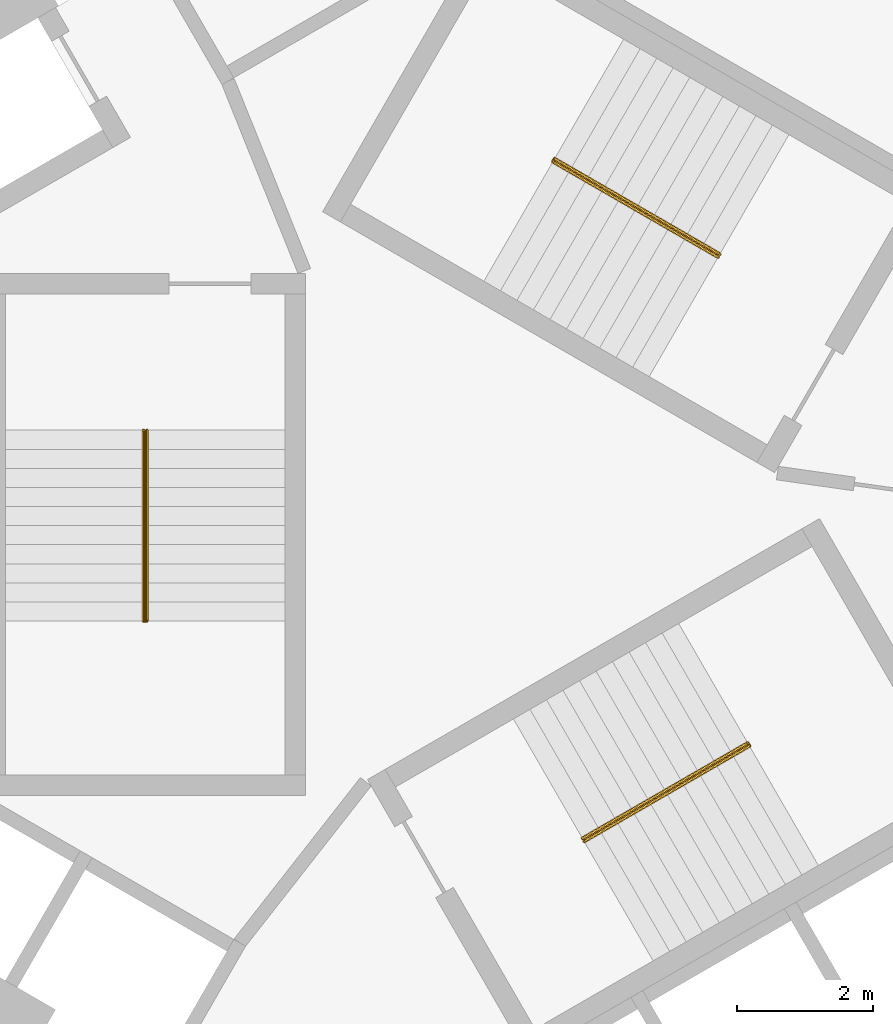
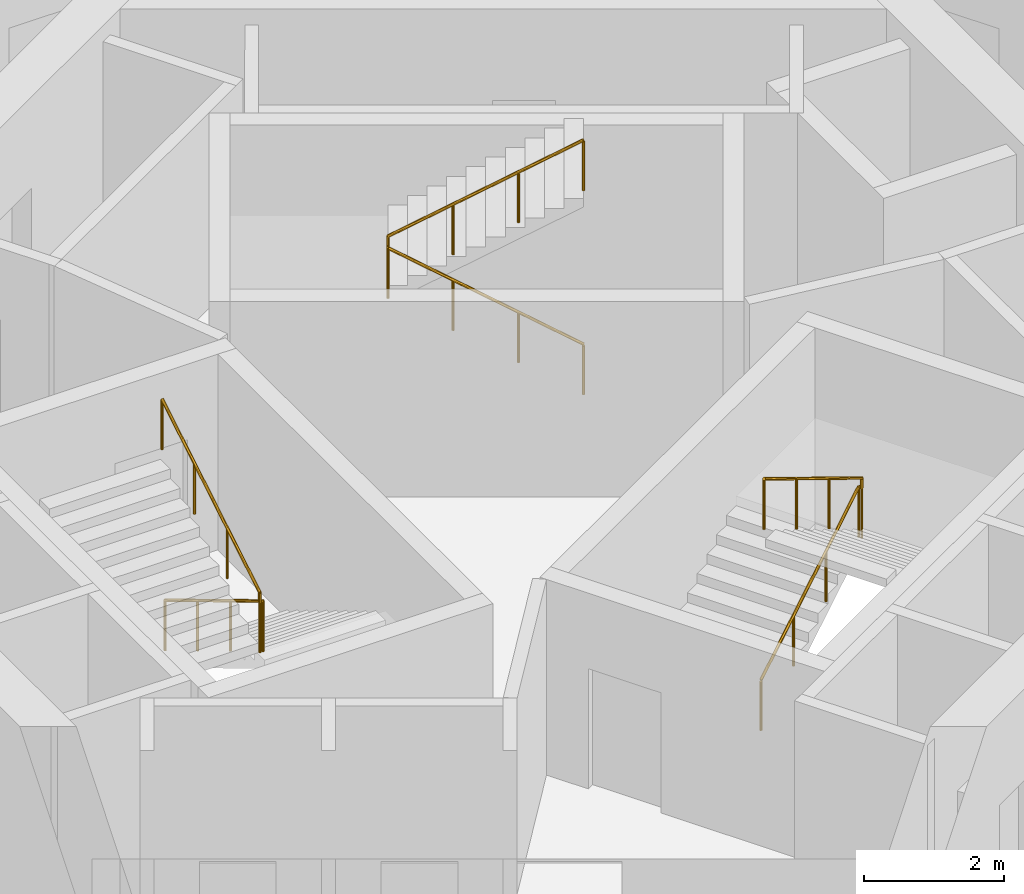
# One storey, part 11 of 11: 3 railings.
"""IFC4 building model written with IfcOpenShell, lengths in metres."""

from ifc_helpers import new_model, si_unit, direction, frame, origin, origin_2d, place, context, subcontext, project, spatial, circle, extrude, material, type_object, element, save


model = new_model("IFC4")

# Units and contexts
model_context = context("Model", 3, precision=1e-05, world=origin(), true_north=direction((0.0, 1.0)))
body_context = subcontext(model_context, "Body", "Model", "MODEL_VIEW")
ifc_project = project(units=[si_unit("LENGTHUNIT", "METRE"), si_unit("AREAUNIT", "SQUARE_METRE"), si_unit("VOLUMEUNIT", "CUBIC_METRE"), si_unit("PLANEANGLEUNIT", "RADIAN"), si_unit("MASSUNIT", "GRAM", prefix="KILO")], contexts=[model_context])

# Site, building, storey
site_placement = place(None, origin())
site = spatial("IfcSite", under=ifc_project, at=site_placement, CompositionType="ELEMENT")
building_placement = place(site_placement, origin())
building = spatial("IfcBuilding", under=site, at=building_placement, Name="Vanh Sen Convention Tower", CompositionType="ELEMENT")
storey_placement = place(building_placement, frame((0.0, 0.0, 293.10009765625)))
storey = spatial("IfcBuildingStorey", under=building, at=storey_placement, Name="L72", CompositionType="ELEMENT", Elevation=293.10009765625)

# Railings
ifc_material = material(Name="Stainless steel handrail", Category="steel")
railing_type = type_object("IfcRailingType", Name="Stair handrail 900", PredefinedType="HANDRAIL", material=ifc_material)
railing_1_placement = place(storey_placement, frame((3.45849609375, 3.690185546875, 0.168212890625)))
element("IfcRailing", 1, at=railing_1_placement, inside=storey, type_object=railing_type, Name="Stair handrail ST1 L72", PredefinedType="HANDRAIL", context=body_context, shape_type="SweptSolid", body=[
    extrude(circle(Radius=0.02392578125, at=origin_2d()), frame((0.0, 0.0, 0.8759765625), z_axis=(-0.74241905619, 0.428617687091, 0.514879426), x_axis=(-0.49998411664, -0.866034573852, 0.0)), (0.0, 0.0, 1.0), 3.26611328125),
    extrude(circle(Radius=0.02392578125, at=origin_2d()), frame((-2.4248046875, 1.39990234375, 2.5576171875), z_axis=(0.497188445666, 0.867642581652, 0.0), x_axis=(-0.867642581652, 0.497188445666, 0.0)), (0.0, 0.0, 1.0), 0.050048828125),
    extrude(circle(Radius=0.02392578125, at=origin_2d()), frame((-2.39990234375, 1.443359375, 2.5576171875), z_axis=(0.0, 0.0, 1.0), x_axis=(1.0, 0.0, 0.0)), (0.0, 0.0, 1.0), 0.168212890625),
    extrude(circle(Radius=0.02392578125, at=origin_2d()), frame((-2.39990234375, 1.443359375, 2.7255859375), z_axis=(0.742366697286, -0.42866220388, 0.514917859203), x_axis=(0.500049511043, 0.865996816683, 0.0)), (0.0, 0.0, 1.0), 3.266357421875),
    extrude(circle(Radius=0.02099609375, at=origin_2d()), origin(), (0.0, 0.0, 1.0), 0.851806640625),
    extrude(circle(Radius=0.02099609375, at=origin_2d()), frame((-0.808349609375, 0.466552734375, 0.560546875)), (0.0, 0.0, 1.0), 0.851806640625),
    extrude(circle(Radius=0.02099609375, at=origin_2d()), frame((-1.616455078125, 0.933349609375, 1.12109375)), (0.0, 0.0, 1.0), 0.851806640625),
    extrude(circle(Radius=0.02099609375, at=origin_2d()), frame((-2.4248046875, 1.39990234375, 1.681640625)), (0.0, 0.0, 1.0), 0.851806640625),
    extrude(circle(Radius=0.02099609375, at=origin_2d()), frame((-2.39990234375, 1.443359375, 1.681640625)), (0.0, 0.0, 1.0), 0.851806640625),
    extrude(circle(Radius=0.02099609375, at=origin_2d()), frame((-2.39990234375, 1.443359375, 1.849853515625)), (0.0, 0.0, 1.0), 0.851806640625),
    extrude(circle(Radius=0.02099609375, at=origin_2d()), frame((-1.591552734375, 0.9765625, 2.410400390625)), (0.0, 0.0, 1.0), 0.851806640625),
    extrude(circle(Radius=0.02099609375, at=origin_2d()), frame((-0.783447265625, 0.510009765625, 2.97119140625)), (0.0, 0.0, 1.0), 0.851806640625),
    extrude(circle(Radius=0.02099609375, at=origin_2d()), frame((0.02490234375, 0.043212890625, 3.53173828125)), (0.0, 0.0, 1.0), 0.851806640625),
])
railing_2_placement = place(storey_placement, frame((-4.925048828125, 1.14990234375, 0.168212890625)))
element("IfcRailing", 2, at=railing_2_placement, inside=storey, type_object=railing_type, Name="Stair handrail ST2 L72", PredefinedType="HANDRAIL", context=body_context, shape_type="SweptSolid", body=[
    extrude(circle(Radius=0.02392578125, at=origin_2d()), frame((0.0, 0.0, 0.8759765625), z_axis=(0.0, -0.857255387014, 0.514891446264), x_axis=(1.0, 0.0, 0.0)), (0.0, 0.0, 1.0), 3.26611328125),
    extrude(circle(Radius=0.02392578125, at=origin_2d()), frame((0.0, -2.7998046875, 2.5576171875), z_axis=(-1.0, 0.0, 0.0), x_axis=(0.0, -1.0, 0.0)), (0.0, 0.0, 1.0), 0.050048828125),
    extrude(circle(Radius=0.02392578125, at=origin_2d()), frame((-0.050048828125, -2.7998046875, 2.5576171875), z_axis=(0.0, 0.0, 1.0), x_axis=(1.0, 0.0, 0.0)), (0.0, 0.0, 1.0), 0.168212890625),
    extrude(circle(Radius=0.02392578125, at=origin_2d()), frame((-0.050048828125, -2.7998046875, 2.7255859375), z_axis=(0.0, 0.857222391501, 0.514946377315), x_axis=(-1.0, 0.0, 0.0)), (0.0, 0.0, 1.0), 3.26611328125),
    extrude(circle(Radius=0.02099609375, at=origin_2d()), origin(), (0.0, 0.0, 1.0), 0.851806640625),
    extrude(circle(Radius=0.02099609375, at=origin_2d()), frame((0.0, -0.933349609375, 0.560546875)), (0.0, 0.0, 1.0), 0.851806640625),
    extrude(circle(Radius=0.02099609375, at=origin_2d()), frame((0.0, -1.866455078125, 1.12109375)), (0.0, 0.0, 1.0), 0.851806640625),
    extrude(circle(Radius=0.02099609375, at=origin_2d()), frame((0.0, -2.7998046875, 1.681640625)), (0.0, 0.0, 1.0), 0.851806640625),
    extrude(circle(Radius=0.02099609375, at=origin_2d()), frame((-0.050048828125, -2.7998046875, 1.681640625)), (0.0, 0.0, 1.0), 0.851806640625),
    extrude(circle(Radius=0.02099609375, at=origin_2d()), frame((-0.050048828125, -2.7998046875, 1.849853515625)), (0.0, 0.0, 1.0), 0.851806640625),
    extrude(circle(Radius=0.02099609375, at=origin_2d()), frame((-0.050048828125, -1.866455078125, 2.410400390625)), (0.0, 0.0, 1.0), 0.851806640625),
    extrude(circle(Radius=0.02099609375, at=origin_2d()), frame((-0.050048828125, -0.933349609375, 2.97119140625)), (0.0, 0.0, 1.0), 0.851806640625),
    extrude(circle(Radius=0.02099609375, at=origin_2d()), frame((-0.050048828125, 0.0, 3.53173828125)), (0.0, 0.0, 1.0), 0.851806640625),
])
railing_3_placement = place(storey_placement, frame((1.466552734375, -4.840087890625, 0.168212890625)))
element("IfcRailing", 3, at=railing_3_placement, inside=storey, type_object=railing_type, Name="Stair handrail ST3 L72", PredefinedType="HANDRAIL", context=body_context, shape_type="SweptSolid", body=[
    extrude(circle(Radius=0.02392578125, at=origin_2d()), frame((0.0, 0.0, 0.8759765625), z_axis=(0.74241905619, 0.428617687091, 0.514879426), x_axis=(-0.49998411664, 0.866034573852, 0.0)), (0.0, 0.0, 1.0), 3.26611328125),
    extrude(circle(Radius=0.02392578125, at=origin_2d()), frame((2.4248046875, 1.39990234375, 2.5576171875), z_axis=(0.502959906984, -0.86430974307, 0.0), x_axis=(0.86430974307, 0.502959906984, 0.0)), (0.0, 0.0, 1.0), 0.050048828125),
    extrude(circle(Radius=0.02392578125, at=origin_2d()), frame((2.449951171875, 1.356689453125, 2.5576171875), z_axis=(0.0, 0.0, 1.0), x_axis=(1.0, 0.0, 0.0)), (0.0, 0.0, 1.0), 0.168212890625),
    extrude(circle(Radius=0.02392578125, at=origin_2d()), frame((2.449951171875, 1.356689453125, 2.7255859375), z_axis=(-0.742366697286, -0.42866220388, 0.514917859203), x_axis=(0.500049511043, -0.865996816683, 0.0)), (0.0, 0.0, 1.0), 3.266357421875),
    extrude(circle(Radius=0.02099609375, at=origin_2d()), origin(), (0.0, 0.0, 1.0), 0.851806640625),
    extrude(circle(Radius=0.02099609375, at=origin_2d()), frame((0.808349609375, 0.466552734375, 0.560546875)), (0.0, 0.0, 1.0), 0.851806640625),
    extrude(circle(Radius=0.02099609375, at=origin_2d()), frame((1.616455078125, 0.933349609375, 1.12109375)), (0.0, 0.0, 1.0), 0.851806640625),
    extrude(circle(Radius=0.02099609375, at=origin_2d()), frame((2.4248046875, 1.39990234375, 1.681640625)), (0.0, 0.0, 1.0), 0.851806640625),
    extrude(circle(Radius=0.02099609375, at=origin_2d()), frame((2.449951171875, 1.356689453125, 1.681640625)), (0.0, 0.0, 1.0), 0.851806640625),
    extrude(circle(Radius=0.02099609375, at=origin_2d()), frame((2.449951171875, 1.356689453125, 1.849853515625)), (0.0, 0.0, 1.0), 0.851806640625),
    extrude(circle(Radius=0.02099609375, at=origin_2d()), frame((1.6416015625, 0.889892578125, 2.410400390625)), (0.0, 0.0, 1.0), 0.851806640625),
    extrude(circle(Radius=0.02099609375, at=origin_2d()), frame((0.83349609375, 0.42333984375, 2.97119140625)), (0.0, 0.0, 1.0), 0.851806640625),
    extrude(circle(Radius=0.02099609375, at=origin_2d()), frame((0.025146484375, -0.04345703125, 3.53173828125)), (0.0, 0.0, 1.0), 0.851806640625),
])

save(model, "model.ifc")
